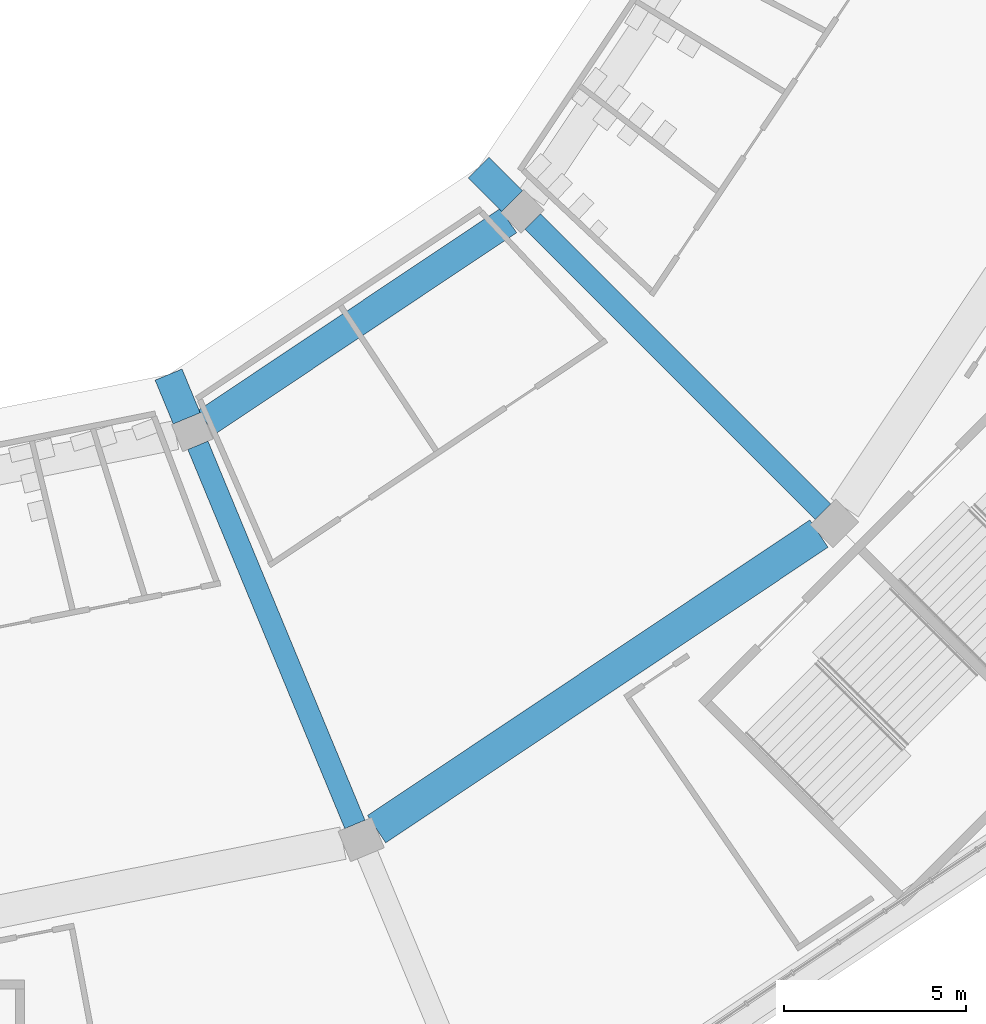
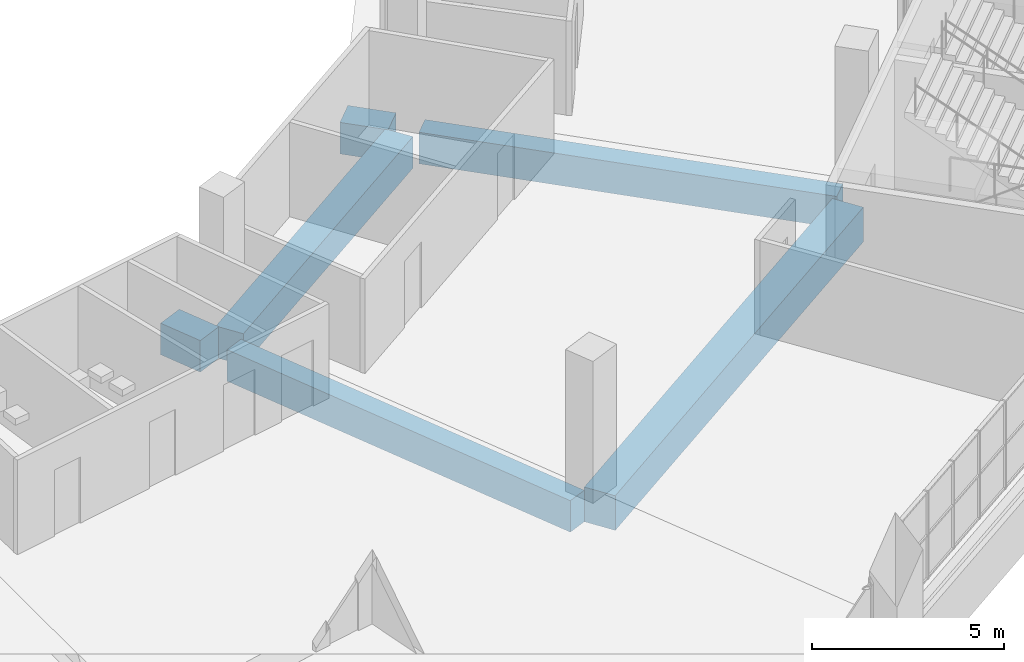
# One storey, part 23 of 199: 6 beams.
"""IFC4 building model written with IfcOpenShell, lengths in metres."""

import ifcopenshell
import ifcopenshell.guid

model = None  # the IFC model being written
_history = None  # IfcOwnerHistory: only IFC2X3 demands one
_inside = {}  # id of a spatial element -> (the spatial element, [elements in it])
_under = {}  # id of a project, library or spatial element -> (it, [spatial elements below it])
_declared = {}  # id of a project -> (the project, [libraries it declares])
_typed = {}  # id of a type object -> (the type object, [elements of that type])
_made_of = {}  # id of a material, layer set ... -> (it, [elements and type objects made of it])


def new_model(schema):
    """Start an empty IFC model of exactly this schema.

    Asked for "IFC4X3", IfcOpenShell would pick the latest addendum, in which some entities
    have other attributes; the version numbers below select the first issue.
    IFC2X3 requires an IfcOwnerHistory on every rooted entity: one is made here for all.
    """
    global model, _history
    if schema == "IFC4X3":
        model = ifcopenshell.file(schema_version=(4, 3, 0, 0))
    else:
        model = ifcopenshell.file(schema=schema)
    _inside.clear()
    _under.clear()
    _declared.clear()
    _typed.clear()
    _made_of.clear()
    _history = None
    if model.schema == "IFC2X3":
        org = make("IfcOrganization", Name="unknown")
        user = make(
            "IfcPersonAndOrganization",
            ThePerson=make("IfcPerson", FamilyName="unknown"),
            TheOrganization=org,
        )
        app = make(
            "IfcApplication",
            ApplicationDeveloper=org,
            Version="unknown",
            ApplicationFullName="unknown",
            ApplicationIdentifier="unknown",
        )
        _history = make(
            "IfcOwnerHistory",
            OwningUser=user,
            OwningApplication=app,
            ChangeAction="ADDED",
            CreationDate=0,
        )
    return model


def make(cls, **values):
    """One entity of the class cls with the attributes given. An attribute that is None is left unset."""
    return model.create_entity(
        cls, **{name: value for name, value in values.items() if value is not None}
    )


def rooted(cls, **values):
    """An entity with a GlobalId (a new one), such as an element, a storey or a relation."""
    return make(cls, GlobalId=ifcopenshell.guid.new(), OwnerHistory=_history, **values)


def si_unit(unit_type, name, prefix=None):
    """IfcSIUnit, for example si_unit("LENGTHUNIT", "METRE", prefix="MILLI")."""
    return make("IfcSIUnit", UnitType=unit_type, Prefix=prefix, Name=name)


def assignment(units):
    """IfcUnitAssignment: the units of a project."""
    return None if units is None else make("IfcUnitAssignment", Units=units)


def point(xyz):
    """IfcCartesianPoint."""
    return None if xyz is None else make("IfcCartesianPoint", Coordinates=xyz)


def direction(xyz):
    """IfcDirection."""
    return None if xyz is None else make("IfcDirection", DirectionRatios=xyz)


def frame(location, z_axis=None, x_axis=None):
    """IfcAxis2Placement3D, a coordinate frame: its origin and axes. An axis left out is left unset."""
    return make(
        "IfcAxis2Placement3D",
        Location=point(location),
        Axis=direction(z_axis),
        RefDirection=direction(x_axis),
    )


def frame_2d(location, x_axis=None):
    """IfcAxis2Placement2D, a coordinate frame in the plane: its origin and x axis."""
    return make(
        "IfcAxis2Placement2D", Location=point(location), RefDirection=direction(x_axis)
    )


def origin():
    """The frame at (0, 0, 0) with its axes left unset."""
    return frame((0.0, 0.0, 0.0))


def origin_2d():
    """The frame at (0, 0) in the plane with its x axis left unset."""
    return frame_2d((0.0, 0.0))


def place(relative_to, where):
    """IfcLocalPlacement: puts the frame where relative to a parent placement (None: the world)."""
    return make(
        "IfcLocalPlacement", PlacementRelTo=relative_to, RelativePlacement=where
    )


def context(
    kind, dimensions, precision=None, world=None, true_north=None, identifier=None
):
    """IfcGeometricRepresentationContext, for example the 3D "Model" context."""
    return make(
        "IfcGeometricRepresentationContext",
        ContextIdentifier=identifier,
        ContextType=kind,
        CoordinateSpaceDimension=dimensions,
        Precision=precision,
        WorldCoordinateSystem=world,
        TrueNorth=true_north,
    )


def subcontext(parent, identifier, kind, view, scale=None):
    """IfcGeometricRepresentationSubContext, for example "Body" below "Model"."""
    return make(
        "IfcGeometricRepresentationSubContext",
        ContextIdentifier=identifier,
        ContextType=kind,
        ParentContext=parent,
        TargetScale=scale,
        TargetView=view,
    )


def project(units=None, contexts=None):
    """IfcProject with its units and contexts."""
    return rooted(
        "IfcProject",
        Name="project",
        RepresentationContexts=contexts,
        UnitsInContext=assignment(units),
    )


def spatial(cls, under=None, at=None, **own):
    """A site, building, storey or space (cls), placed at a placement, below another one or the project."""
    s = rooted(cls, ObjectPlacement=at, **own)
    if under is not None:
        _under.setdefault(under.id(), (under, []))[1].append(s)
    return s


def profile(cls, at=None, kind="AREA", **sizes):
    """A parametric profile (cls). Its sizes go by their IFC names, for example OverallWidth=200.0."""
    return make(cls, ProfileType=kind, Position=at, **sizes)


def rectangle(**sizes):
    """IfcRectangleProfileDef."""
    return profile("IfcRectangleProfileDef", **sizes)


def extrude(swept, where, along, depth):
    """IfcExtrudedAreaSolid: the profile swept, set in the frame where, extruded along a direction by depth."""
    return make(
        "IfcExtrudedAreaSolid",
        SweptArea=swept,
        Position=where,
        ExtrudedDirection=direction(along),
        Depth=depth,
    )


def shape(context_of_items, identifier, shape_type, items):
    """IfcShapeRepresentation: the items that make up one representation, for example the "Body"."""
    return make(
        "IfcShapeRepresentation",
        ContextOfItems=context_of_items,
        RepresentationIdentifier=identifier,
        RepresentationType=shape_type,
        Items=items,
    )


def material(Name=None, Category=None):
    """IfcMaterial."""
    return make("IfcMaterial", Name=Name, Category=Category)


def material_profile(
    of_material, cross_section, Name=None, Category=None, Priority=None
):
    """IfcMaterialProfile: a cross section and its material."""
    return make(
        "IfcMaterialProfile",
        Name=Name,
        Material=of_material,
        Profile=cross_section,
        Priority=Priority,
        Category=Category,
    )


def profile_set(profiles, Name=None, composite=None):
    """IfcMaterialProfileSet."""
    return make(
        "IfcMaterialProfileSet",
        Name=Name,
        MaterialProfiles=profiles,
        CompositeProfile=composite,
    )


def made_of(thing, what):
    """Note that an element or type object is made of a material, layer set ...; save() writes the relation."""
    if what is not None:
        _made_of.setdefault(what.id(), (what, []))[1].append(thing)
    return thing


def type_object(cls, material=None, **own):
    """A type object (cls), such as IfcWallType, which elements share."""
    return made_of(rooted(cls, **own), material)


def element(
    cls,
    number,
    at=None,
    inside=None,
    cuts=None,
    type_object=None,
    material=None,
    context=None,
    identifier="Body",
    shape_type=None,
    held_by="IfcProductDefinitionShape",
    body=None,
    shapes=None,
    **own,
):
    """One element of the class cls, such as IfcWall. Its Tag is "e" and its number.

    at: its placement. inside: the storey or other place that contains it. cuts: it is an
    opening in that element (IfcRelVoidsElement). A single representation is given by context,
    identifier, shape_type and body (its items); several are given by shapes. held_by: the class
    of the entity that holds the representations. save() writes the other relations.
    """
    e = rooted(cls, Tag="e%d" % number, ObjectPlacement=at, **own)
    if body is not None:
        shapes = [shape(context, identifier, shape_type, body)]
    if shapes is not None:
        e.Representation = make(held_by, Representations=shapes)
    if inside is not None:
        _inside.setdefault(inside.id(), (inside, []))[1].append(e)
    if cuts is not None:
        rooted(
            "IfcRelVoidsElement", RelatingBuildingElement=cuts, RelatedOpeningElement=e
        )
    if type_object is not None:
        _typed.setdefault(type_object.id(), (type_object, []))[1].append(e)
    return made_of(e, material)


def aggregate(whole, parts):
    """IfcRelAggregates: a whole, such as a stair, and the parts it consists of."""
    return rooted("IfcRelAggregates", RelatingObject=whole, RelatedObjects=parts)


def save(model, path):
    """Write the relations noted so far, then the file.

    IfcRelAggregates (storeys below a building ...), IfcRelContainedInSpatialStructure (elements
    in a storey), IfcRelDefinesByType, IfcRelAssociatesMaterial and IfcRelDeclares: one each for
    every whole, place, type object, material and project.
    """
    for whole, parts in _under.values():
        aggregate(whole, parts)
    for where, things in _inside.values():
        rooted(
            "IfcRelContainedInSpatialStructure",
            RelatedElements=things,
            RelatingStructure=where,
        )
    for kind, things in _typed.values():
        rooted("IfcRelDefinesByType", RelatedObjects=things, RelatingType=kind)
    for what, things in _made_of.values():
        rooted("IfcRelAssociatesMaterial", RelatedObjects=things, RelatingMaterial=what)
    for by, libraries in _declared.values():
        rooted("IfcRelDeclares", RelatingContext=by, RelatedDefinitions=libraries)
    model.write(path)


model = new_model("IFC4")

# Units and contexts
model_context = context("Model", 3, precision=1e-05, world=origin(), true_north=direction((0.0, 1.0)))
body_context = subcontext(model_context, "Body", "Model", "MODEL_VIEW")
ifc_project = project(units=[si_unit("LENGTHUNIT", "METRE"), si_unit("AREAUNIT", "SQUARE_METRE"), si_unit("VOLUMEUNIT", "CUBIC_METRE"), si_unit("PLANEANGLEUNIT", "RADIAN"), si_unit("MASSUNIT", "GRAM", prefix="KILO")], contexts=[model_context])

# Site, building, storey
site_placement = place(None, origin())
site = spatial("IfcSite", under=ifc_project, at=site_placement, CompositionType="ELEMENT")
building_placement = place(site_placement, origin())
building = spatial("IfcBuilding", under=site, at=building_placement, Name="Ogive Plaza Stadium", CompositionType="ELEMENT")
storey_placement = place(building_placement, frame((0.0, 0.0, 4.5)))
storey = spatial("IfcBuildingStorey", under=building, at=storey_placement, Name="L01", CompositionType="ELEMENT", Elevation=4.5)

# Beams
ifc_material_1 = material(Name="Concrete C40/50", Category="concrete")
ifc_material_profile_1 = material_profile(ifc_material_1, rectangle(XDim=0.60009765625, YDim=1.0, at=origin_2d()), Name="RC 600x1000")
ifc_profile_set_1 = profile_set([ifc_material_profile_1], Name="Concrete C40/50")
beam_type_1 = type_object("IfcBeamType", Name="RC radial beam 600x1000", PredefinedType="BEAM", material=ifc_profile_set_1)
beam_1_placement = place(storey_placement, frame((54.01123046875, -72.51123046875, -0.909912109375), z_axis=(0.707106781187, -0.707106781187, 0.0), x_axis=(0.707106781187, 0.707106781187, 0.0)))
element("IfcBeam", 1, at=beam_1_placement, inside=storey, type_object=beam_type_1, Name="Radial beam L01 R10 F3F4", PredefinedType="BEAM", context=body_context, shape_type="SweptSolid", body=[
    extrude(rectangle(XDim=0.60009765625, YDim=1.0, at=origin_2d()), origin(), (0.0, 0.0, 1.0), 11.249755859375),
])
beam_2_placement = place(storey_placement, frame((44.829833984375, -78.645751953125, -0.909912109375), z_axis=(0.382677616283, -0.92388194159, 0.0), x_axis=(0.92388194159, 0.382677616283, 0.0)))
element("IfcBeam", 2, at=beam_2_placement, inside=storey, type_object=beam_type_1, Name="Radial beam L01 R11 F3F4", PredefinedType="BEAM", context=body_context, shape_type="SweptSolid", body=[
    extrude(rectangle(XDim=0.60009765625, YDim=1.0, at=origin_2d()), origin(), (0.0, 0.0, 1.0), 11.250244140625),
])
ifc_material_2 = material(Name="Concrete C40/50", Category="concrete")
ifc_material_profile_2 = material_profile(ifc_material_2, rectangle(XDim=0.800048828125, YDim=1.0, at=origin_2d()), Name="RC 800x1000")
ifc_profile_set_2 = profile_set([ifc_material_profile_2], Name="Concrete C40/50")
beam_type_2 = type_object("IfcBeamType", Name="RC radial beam 800x1000", PredefinedType="BEAM", material=ifc_profile_set_2)
beam_3_placement = place(storey_placement, frame((52.526123046875, -71.026123046875, -0.909912109375), z_axis=(0.707106781187, -0.707106781187, 0.0), x_axis=(0.707106781187, 0.707106781187, 0.0)))
element("IfcBeam", 3, at=beam_3_placement, inside=storey, type_object=beam_type_2, Name="Raker tail beam LT R10", PredefinedType="BEAM", context=body_context, shape_type="SweptSolid", body=[
    extrude(rectangle(XDim=0.800048828125, YDim=1.0, at=origin_2d()), origin(), (0.0, 0.0, 1.0), 1.30029296875),
])
beam_4_placement = place(storey_placement, frame((44.0263671875, -76.70556640625, -0.909912109375), z_axis=(0.382534239946, -0.923941315923, 0.0), x_axis=(0.923941315923, 0.382534239946, 0.0)))
element("IfcBeam", 4, at=beam_4_placement, inside=storey, type_object=beam_type_2, Name="Raker tail beam LT R11", PredefinedType="BEAM", context=body_context, shape_type="SweptSolid", body=[
    extrude(rectangle(XDim=0.800048828125, YDim=1.0, at=origin_2d()), origin(), (0.0, 0.0, 1.0), 1.300048828125),
])
ifc_material_3 = material(Name="Concrete C40/50", Category="concrete")
ifc_material_profile_3 = material_profile(ifc_material_3, rectangle(XDim=0.800048828125, YDim=1.0, at=origin_2d()), Name="RC 800x1000")
ifc_profile_set_3 = profile_set([ifc_material_profile_3], Name="Concrete C40/50")
beam_type_3 = type_object("IfcBeamType", Name="RC ring beam 800x1000", PredefinedType="BEAM", material=ifc_profile_set_3)
beam_5_placement = place(storey_placement, frame((53.3466796875, -72.483154296875, -0.909912109375), z_axis=(-0.831469573595, -0.555570290949, 0.0), x_axis=(0.555570290949, -0.831469573595, 0.0)))
element("IfcBeam", 5, at=beam_5_placement, inside=storey, type_object=beam_type_3, Name="Ring beam F3 L01 B10", PredefinedType="BEAM", context=body_context, shape_type="SweptSolid", body=[
    extrude(rectangle(XDim=0.800048828125, YDim=1.0, at=origin_2d()), origin(), (0.0, 0.0, 1.0), 9.96826171875),
])
ifc_material_4 = material(Name="Concrete C40/50", Category="concrete")
ifc_material_profile_4 = material_profile(ifc_material_4, rectangle(XDim=0.89990234375, YDim=1.10009765625, at=origin_2d()), Name="RC 900x1100")
ifc_profile_set_4 = profile_set([ifc_material_profile_4], Name="Concrete C40/50")
beam_type_4 = type_object("IfcBeamType", Name="RC ring beam 900x1100", PredefinedType="BEAM", material=ifc_profile_set_4)
beam_6_placement = place(storey_placement, frame((61.8603515625, -81.0673828125, -0.9599609375), z_axis=(-0.831467933961, -0.555572744827, 0.0), x_axis=(0.555572744827, -0.831467933961, 0.0)))
element("IfcBeam", 6, at=beam_6_placement, inside=storey, type_object=beam_type_4, Name="Ring beam F4 L01 B10", PredefinedType="BEAM", context=body_context, shape_type="SweptSolid", body=[
    extrude(rectangle(XDim=0.89990234375, YDim=1.10009765625, at=origin_2d()), origin(), (0.0, 0.0, 1.0), 14.587646484375),
])

save(model, "model.ifc")
